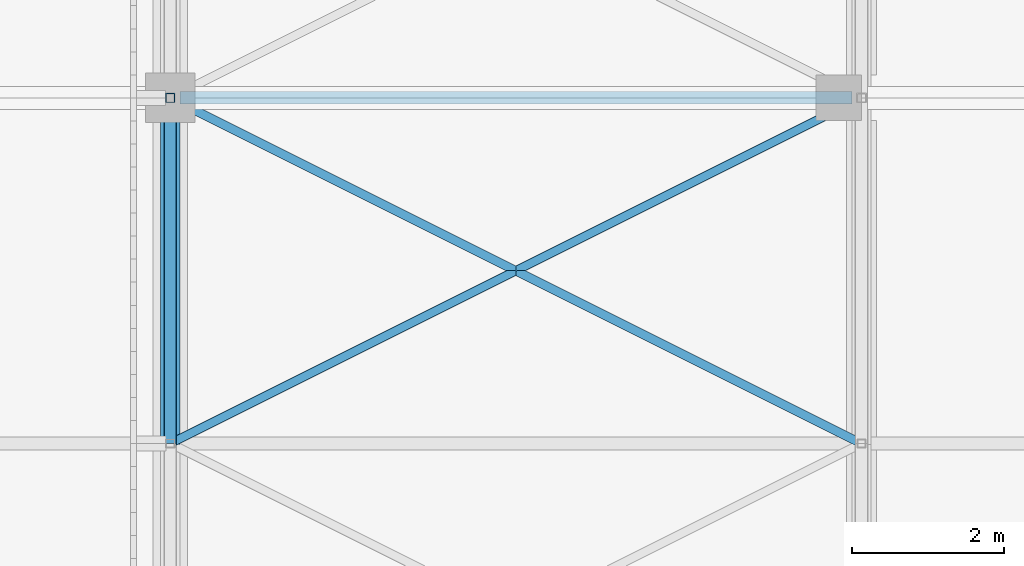
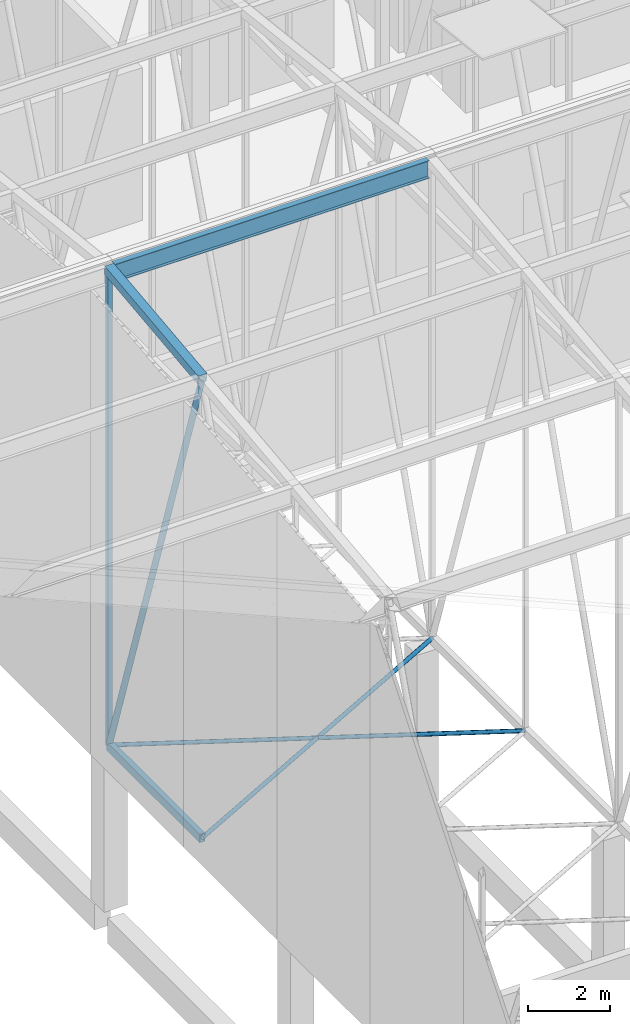
# One storey, part 65 of 500: 7 members.
"""IFC4 building model written with IfcOpenShell, lengths in metres."""

from ifc_helpers import new_model, si_unit, direction, frame, origin, origin_2d, place, context, subcontext, project, spatial, hollow_rectangle, hollow_circle, i_section, extrude, material, material_profile, profile_set, type_object, element, save


model = new_model("IFC4")

# Units and contexts
model_context = context("Model", 3, precision=1e-05, world=origin(), true_north=direction((0.0, 1.0)))
body_context = subcontext(model_context, "Body", "Model", "MODEL_VIEW")
ifc_project = project(units=[si_unit("LENGTHUNIT", "METRE"), si_unit("AREAUNIT", "SQUARE_METRE"), si_unit("VOLUMEUNIT", "CUBIC_METRE"), si_unit("PLANEANGLEUNIT", "RADIAN"), si_unit("MASSUNIT", "GRAM", prefix="KILO")], contexts=[model_context])

# Site, building, storey
site_placement = place(None, origin())
site = spatial("IfcSite", under=ifc_project, at=site_placement, CompositionType="ELEMENT")
building_placement = place(site_placement, origin())
building = spatial("IfcBuilding", under=site, at=building_placement, Name="Shirokan Park Arena", CompositionType="ELEMENT")
storey_placement = place(building_placement, frame((0.0, 0.0, 29.1201171875)))
storey = spatial("IfcBuildingStorey", under=building, at=storey_placement, Name="L06", CompositionType="ELEMENT", Elevation=29.1201171875)

# Members
ifc_material_1 = material(Name="Steel ASTM A500 Grade C", Category="steel")
ifc_material_profile_1 = material_profile(ifc_material_1, hollow_rectangle(XDim=0.152099609375, YDim=0.25390625, WallThickness=0.009521484375, at=origin_2d()), Name="HSS254X152.4X9.5")
ifc_profile_set_1 = profile_set([ifc_material_profile_1], Name="Steel ASTM A500 Grade C")
member_type_1 = type_object("IfcMemberType", Name="Bottom chord HSS254X152.4X9.5", PredefinedType="CHORD", material=ifc_profile_set_1)
member_1_placement = place(storey_placement, frame((0.0, 50.050048828125, 4.677001953125), z_axis=(0.0, 1.0, 0.0), x_axis=(-1.0, 0.0, 0.0)))
element("IfcMember", 1, at=member_1_placement, inside=storey, type_object=member_type_1, Name="Truss T01 bottom chord 14", PredefinedType="CHORD", context=body_context, shape_type="SweptSolid", body=[
    extrude(hollow_rectangle(XDim=0.152099609375, YDim=0.25390625, WallThickness=0.009521484375, at=origin_2d()), origin(), (0.0, 0.0, 1.0), 4.550048828125),
])
ifc_material_profile_2 = material_profile(ifc_material_1, hollow_circle(Radius=0.056884765625, WallThickness=0.006103515625, at=origin_2d()), Name="HSS114.3X6")
ifc_profile_set_2 = profile_set([ifc_material_profile_2], Name="Steel ASTM A500 Grade C")
member_type_2 = type_object("IfcMemberType", Name="Plan bracing HSS114.3X6", PredefinedType="BRACE", material=ifc_profile_set_2)
for number, where, z_axis, x_axis, name in (
    (2, (0.0, 50.050048828125, 4.677001953125), (0.894427191, 0.4472135955, 0.0), (-0.4472135955, 0.894427191, 0.0), "Plan bracing bay 1 panel 14 A"),
    (3, (9.10009765625, 50.050048828125, 4.677001953125), (-0.894427191, 0.4472135955, 0.0), (-0.4472135955, -0.894427191, 0.0), "Plan bracing bay 1 panel 14 B"),
):
    element("IfcMember", number, at=place(storey_placement, frame(where, z_axis=z_axis, x_axis=x_axis)), inside=storey, type_object=member_type_2, Name=name, PredefinedType="BRACE", context=body_context, shape_type="SweptSolid", body=[
        extrude(hollow_circle(Radius=0.056884765625, WallThickness=0.006103515625, at=origin_2d()), origin(), (0.0, 0.0, 1.0), 10.17431640625),
    ])
ifc_material_2 = material(Name="Steel ASTM A992", Category="steel")
ifc_material_profile_3 = material_profile(ifc_material_2, i_section(OverallWidth=0.166015625, OverallDepth=0.528076171875, WebThickness=0.009765625, FlangeThickness=0.013671875, at=origin_2d()), Name="W530X74")
ifc_profile_set_3 = profile_set([ifc_material_profile_3], Name="Steel ASTM A992")
member_type_3 = type_object("IfcMemberType", Name="Purlin W530X74", PredefinedType="PURLIN", material=ifc_profile_set_3)
member_2_placement = place(storey_placement, frame((0.126953125, 54.60009765625, 18.725830078125), z_axis=(1.0, 0.0, 0.0), x_axis=(0.0, 1.0, 0.0)))
element("IfcMember", 4, at=member_2_placement, inside=storey, type_object=member_type_3, Name="Purlin 15 bay 1", PredefinedType="PURLIN", context=body_context, shape_type="SweptSolid", body=[
    extrude(i_section(OverallWidth=0.166015625, OverallDepth=0.528076171875, WebThickness=0.009765625, FlangeThickness=0.013671875, at=origin_2d()), origin(), (0.0, 0.0, 1.0), 8.845947265625),
])
ifc_material_profile_4 = material_profile(ifc_material_1, hollow_rectangle(XDim=0.25390625, YDim=0.25390625, WallThickness=0.009521484375, at=origin_2d()), Name="HSS254X254X9.5")
ifc_profile_set_4 = profile_set([ifc_material_profile_4], Name="Steel ASTM A500 Grade C")
member_type_4 = type_object("IfcMemberType", Name="Top chord HSS254X254X9.5", PredefinedType="CHORD", material=ifc_profile_set_4)
member_3_placement = place(storey_placement, frame((0.0, 50.050048828125, 18.3427734375), z_axis=(0.0, 0.993532328996, 0.113549598152), x_axis=(-1.0, 0.0, 0.0)))
element("IfcMember", 5, at=member_3_placement, inside=storey, type_object=member_type_4, Name="Truss T01 top chord 14", PredefinedType="CHORD", context=body_context, shape_type="SweptSolid", body=[
    extrude(hollow_rectangle(XDim=0.25390625, YDim=0.25390625, WallThickness=0.009521484375, at=origin_2d()), origin(), (0.0, 0.0, 1.0), 4.57958984375),
])
ifc_material_profile_5 = material_profile(ifc_material_1, hollow_circle(Radius=0.083984375, WallThickness=0.009521484375, at=origin_2d()), Name="HSS168.3X9.5")
ifc_profile_set_5 = profile_set([ifc_material_profile_5], Name="Steel ASTM A500 Grade C")
member_type_5 = type_object("IfcMemberType", Name="Truss diagonal HSS168.3X9.5", PredefinedType="BRACE", material=ifc_profile_set_5)
member_4_placement = place(storey_placement, frame((0.0, 50.050048828125, 18.3427734375), z_axis=(0.0, 0.315902302102, -0.948791723998), x_axis=(-1.0, 0.0, 0.0)))
element("IfcMember", 6, at=member_4_placement, inside=storey, type_object=member_type_5, Name="Truss T01 diagonal 14", PredefinedType="BRACE", context=body_context, shape_type="SweptSolid", body=[
    extrude(hollow_circle(Radius=0.083984375, WallThickness=0.009521484375, at=origin_2d()), origin(), (0.0, 0.0, 1.0), 14.4033203125),
])
ifc_material_profile_6 = material_profile(ifc_material_1, hollow_rectangle(XDim=0.126953125, YDim=0.126953125, WallThickness=0.0126953125, at=origin_2d()), Name="HSS127X127X12.7")
ifc_profile_set_6 = profile_set([ifc_material_profile_6], Name="Steel ASTM A500 Grade C")
member_type_6 = type_object("IfcMemberType", Name="Truss post HSS127X127X12.7", PredefinedType="POST", material=ifc_profile_set_6)
member_5_placement = place(storey_placement, frame((0.0, 54.60009765625, 4.677001953125), z_axis=(0.0, 0.0, 1.0), x_axis=(1.0, 0.0, 0.0)))
element("IfcMember", 7, at=member_5_placement, inside=storey, type_object=member_type_6, Name="Truss T01 post 15", PredefinedType="POST", context=body_context, shape_type="SweptSolid", body=[
    extrude(hollow_rectangle(XDim=0.126953125, YDim=0.126953125, WallThickness=0.0126953125, at=origin_2d()), origin(), (0.0, 0.0, 1.0), 14.185791015625),
])

save(model, "model.ifc")
